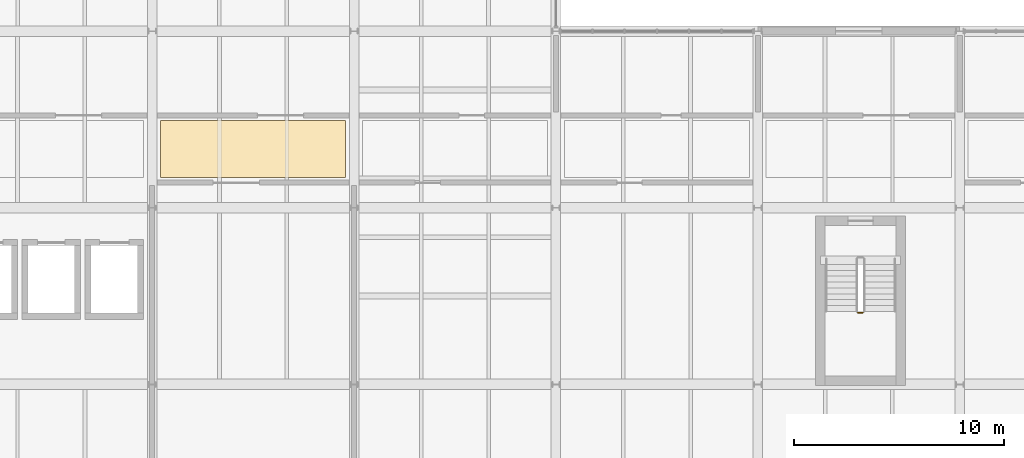
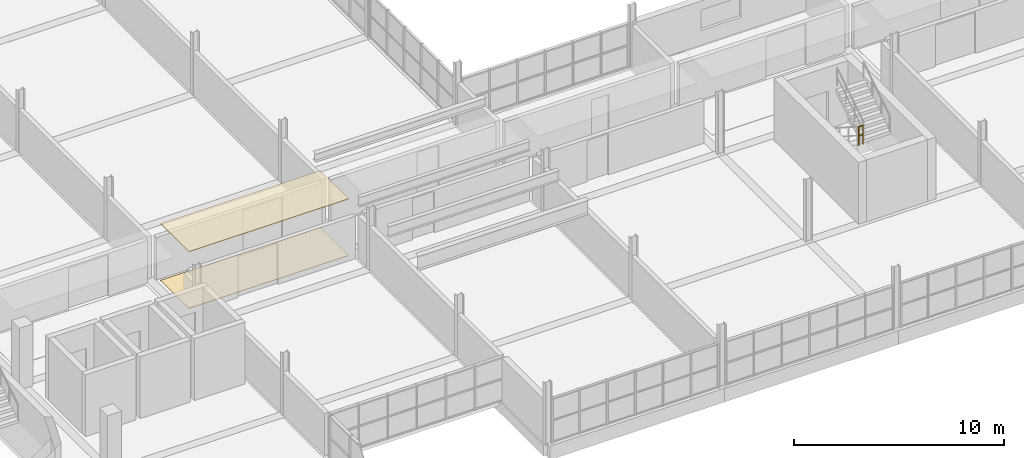
# One storey, part 138 of 147: 2 coverings, 1 railing.
"""IFC4 building model written with IfcOpenShell, lengths in metres."""

from ifc_helpers import new_model, si_unit, direction, frame, origin, origin_2d, place, context, subcontext, project, spatial, polyline, circle, outline, extrude, material, layer, layer_set, type_object, element, save


model = new_model("IFC4")

# Units and contexts
model_context = context("Model", 3, precision=1e-05, world=origin(), true_north=direction((0.0, 1.0)))
body_context = subcontext(model_context, "Body", "Model", "MODEL_VIEW")
ifc_project = project(units=[si_unit("LENGTHUNIT", "METRE"), si_unit("AREAUNIT", "SQUARE_METRE"), si_unit("VOLUMEUNIT", "CUBIC_METRE"), si_unit("PLANEANGLEUNIT", "RADIAN"), si_unit("MASSUNIT", "GRAM", prefix="KILO")], contexts=[model_context])

# Site, building, storey
site_placement = place(None, origin())
site = spatial("IfcSite", under=ifc_project, at=site_placement, CompositionType="ELEMENT")
building_placement = place(site_placement, origin())
building = spatial("IfcBuilding", under=site, at=building_placement, Name="Oolite Switchyard Hospital", CompositionType="ELEMENT")
storey_placement = place(building_placement, frame((0.0, 0.0, 9.89990234375)))
storey = spatial("IfcBuildingStorey", under=building, at=storey_placement, Name="L02", CompositionType="ELEMENT", Elevation=9.89990234375)

# Coverings
ifc_material_1 = material(Name="Hygienic washable mineral-fibre acoustic ceiling")
ifc_layer_1 = layer(ifc_material_1, 0.0400390625)
ifc_layer_set_1 = layer_set([ifc_layer_1], Name="COV-CEIL-AC60")
covering_type_1 = type_object("IfcCoveringType", Name="COV-CEIL-AC60", PredefinedType="CEILING", material=ifc_layer_set_1)
covering_1_placement = place(storey_placement, frame((0.0, 0.0, 3.28515625)))
element("IfcCovering", 1, at=covering_1_placement, inside=storey, type_object=covering_type_1, Name="L02 Interstitial Engineering and Pharmacy Corridor Ceiling 6", PredefinedType="CEILING", context=body_context, shape_type="SweptSolid", body=[
    extrude(outline(polyline([(58.0, 102.25), (66.800048828125, 102.25), (66.800048828125, 104.949951171875), (58.0, 104.949951171875), (58.0, 102.25)])), origin(), (0.0, 0.0, 1.0), 0.0400390625),
])
ifc_material_2 = material(Name="Epoxy terrazzo seamless clinical flooring")
ifc_layer_2 = layer(ifc_material_2, 0.02001953125)
ifc_layer_set_2 = layer_set([ifc_layer_2], Name="COV-FLR-TER20")
covering_type_2 = type_object("IfcCoveringType", Name="COV-FLR-TER20", PredefinedType="FLOORING", material=ifc_layer_set_2)
covering_2_placement = place(storey_placement, origin())
element("IfcCovering", 2, at=covering_2_placement, inside=storey, type_object=covering_type_2, Name="L02 Interstitial Engineering and Pharmacy Corridor Flooring 6", PredefinedType="FLOORING", context=body_context, shape_type="SweptSolid", body=[
    extrude(outline(polyline([(58.0, 102.25), (66.800048828125, 102.25), (66.800048828125, 104.949951171875), (58.0, 104.949951171875), (58.0, 102.25)])), origin(), (0.0, 0.0, 1.0), 0.02001953125),
])

# Railing
ifc_material_3 = material(Name="Galvanized painted architectural steel handrail", Category="steel")
railing_type = type_object("IfcRailingType", Name="RL-STAIR-GRD", PredefinedType="GUARDRAIL", material=ifc_material_3)
railing_placement = place(storey_placement, frame((91.159912109375, 95.820068359375, 1.800048828125)))
element("IfcRailing", 3, at=railing_placement, inside=storey, type_object=railing_type, Name="L02 ST-09 stair guard 2", PredefinedType="GUARDRAIL", context=body_context, shape_type="SweptSolid", body=[
    extrude(circle(Radius=0.02392578125, at=origin_2d()), frame((0.0, 0.0, 1.076171875), z_axis=(1.0, 0.0, 0.0), x_axis=(0.0, 1.0, 0.0)), (0.0, 0.0, 1.0), 0.239990234375),
    extrude(circle(Radius=0.015625, at=origin_2d()), frame((0.0, 0.0, 0.550048828125), z_axis=(1.0, 0.0, 0.0), x_axis=(0.0, 1.0, 0.0)), (0.0, 0.0, 1.0), 0.239990234375),
    extrude(circle(Radius=0.02099609375, at=origin_2d()), origin(), (0.0, 0.0, 1.0), 1.052001953125),
    extrude(circle(Radius=0.02099609375, at=origin_2d()), frame((0.239990234375, 0.0, 0.0)), (0.0, 0.0, 1.0), 1.052001953125),
])

save(model, "model.ifc")
